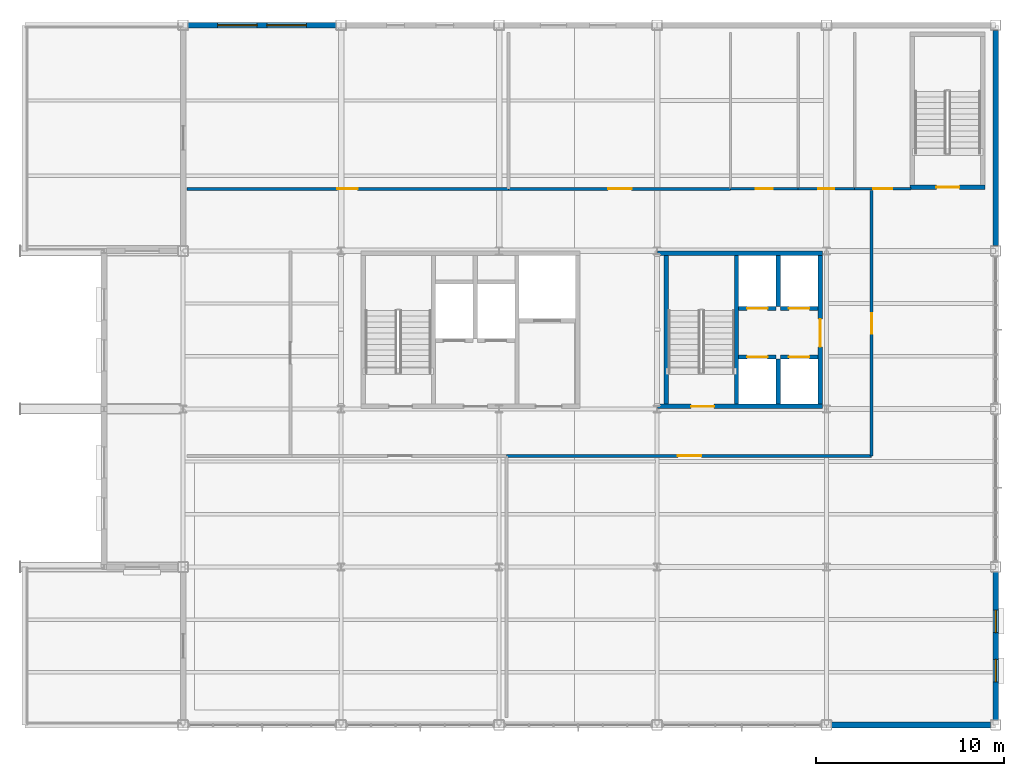
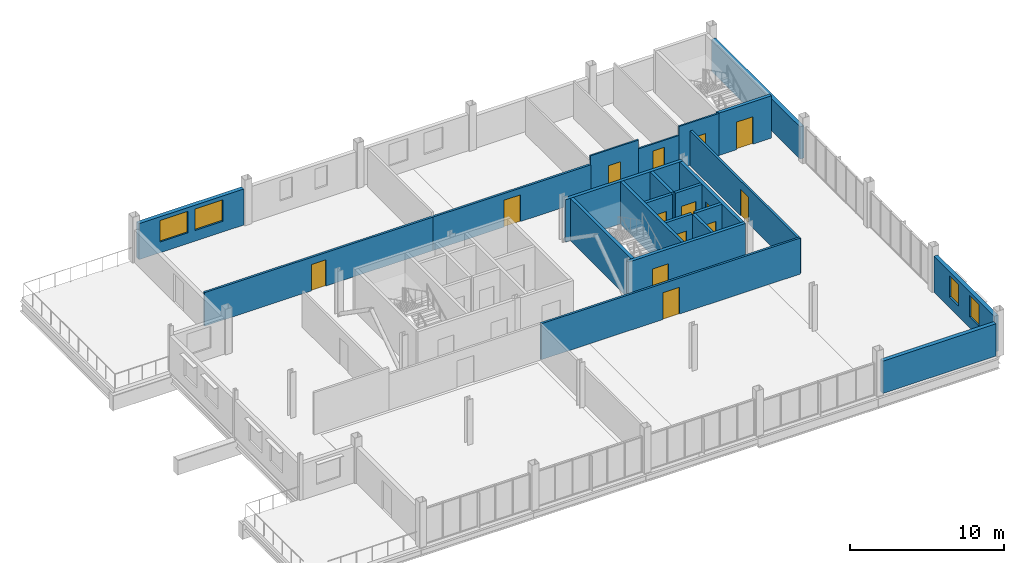
# One storey, part 14 of 18: 23 walls, 14 doors, 4 windows, 18 openings.
"""IFC4 building model written with IfcOpenShell, lengths in metres."""

from ifc_helpers import new_model, si_unit, direction, frame, frame_2d, origin, place, context, subcontext, project, spatial, rectangle, extrude, material, layer, layer_set, type_object, element, fill, save


model = new_model("IFC4")

# Units and contexts
model_context = context("Model", 3, precision=1e-05, world=origin(), true_north=direction((0.0, 1.0)))
body_context = subcontext(model_context, "Body", "Model", "MODEL_VIEW")
ifc_project = project(units=[si_unit("LENGTHUNIT", "METRE"), si_unit("AREAUNIT", "SQUARE_METRE"), si_unit("VOLUMEUNIT", "CUBIC_METRE"), si_unit("PLANEANGLEUNIT", "RADIAN"), si_unit("MASSUNIT", "GRAM", prefix="KILO")], contexts=[model_context])

# Site, building, storey
site_placement = place(None, origin())
site = spatial("IfcSite", under=ifc_project, at=site_placement, CompositionType="ELEMENT")
building_placement = place(site_placement, origin())
building = spatial("IfcBuilding", under=site, at=building_placement, Name="Yukiwa Park Conservatory and Herbarium", CompositionType="ELEMENT")
storey_placement = place(building_placement, frame((0.0, 0.0, 21.0)))
storey = spatial("IfcBuildingStorey", under=building, at=storey_placement, Name="L05", CompositionType="ELEMENT", Elevation=21.0)

# Walls
ifc_material_1 = material(Name="Concrete C40", Category="concrete")
ifc_layer_1 = layer(ifc_material_1, 0.219970703125)
ifc_layer_set_1 = layer_set([ifc_layer_1], Name="Concrete C40")
wall_type_1 = type_object("IfcWallType", Name="WL-CORE-RC220", PredefinedType="SHEAR", material=ifc_layer_set_1)
wall_1_placement = place(storey_placement, frame((154.219970703125, 95.050048828125, 0.0), z_axis=(0.0, 0.0, 1.0), x_axis=(0.0, 1.0, 0.0)))
element("IfcWall", 1, at=wall_1_placement, inside=storey, type_object=wall_type_1, Name="L05 core shear wall 401", PredefinedType="SHEAR", context=body_context, shape_type="SweptSolid", body=[
    extrude(rectangle(XDim=7.89990234375, YDim=0.219970703125, at=frame_2d((3.949951171875, 0.0))), origin(), (0.0, 0.0, 1.0), 3.35009765625),
])
wall_2_placement = place(storey_placement, frame((156.43994140625, 100.25, 0.0), z_axis=(0.0, 0.0, 1.0), x_axis=(0.0, 1.0, 0.0)))
element("IfcWall", 2, at=wall_2_placement, inside=storey, type_object=wall_type_1, Name="L05 core shear wall 403", PredefinedType="SHEAR", context=body_context, shape_type="SweptSolid", body=[
    extrude(rectangle(XDim=2.699951171875, YDim=0.219970703125, at=frame_2d((1.35009765625, 0.0))), origin(), (0.0, 0.0, 1.0), 3.35009765625),
])

# Wall, opening, door
wall_3_placement = place(storey_placement, frame((154.330078125, 100.139892578125, 0.0), z_axis=(0.0, 0.0, 1.0), x_axis=(1.0, 0.0, 0.0)))
wall_3 = element("IfcWall", 3, at=wall_3_placement, inside=storey, type_object=wall_type_1, Name="L05 core shear wall 404", PredefinedType="SHEAR", context=body_context, shape_type="SweptSolid", body=[
    extrude(rectangle(XDim=2.0, YDim=0.219970703125, at=frame_2d((1.0, 0.0))), origin(), (0.0, 0.0, 1.0), 3.35009765625),
])
opening_1_placement = place(wall_3_placement, frame((0.449951171875, 0.0, 0.0)))
opening_1 = element("IfcOpeningElement", 4, at=opening_1_placement, cuts=wall_3, Name="Opening LD-01", PredefinedType="OPENING", context=body_context, shape_type="SweptSolid", body=[
    extrude(rectangle(XDim=1.10009765625, YDim=2.14990234375, at=frame_2d((0.550048828125, 1.074951171875))), frame((0.0, 0.1201171875, 0.0), z_axis=(0.0, -1.0, 0.0), x_axis=(1.0, 0.0, 0.0)), (0.0, 0.0, 1.0), 0.239990234375),
])
ifc_material_2 = material(Name="Steel Q235B", Category="steel")
door_type_1 = type_object("IfcDoorType", Name="DR-LIFT-LD1100", OperationType="SLIDING_TO_LEFT", PredefinedType="DOOR", material=ifc_material_2)
door_1_placement = place(opening_1_placement, origin())
door_1 = element("IfcDoor", 5, at=door_1_placement, inside=storey, type_object=door_type_1, Name="L05 Passenger Lift LP1 sliding landing door", OperationType="SLIDING_TO_LEFT", OverallHeight=2.14990234375, OverallWidth=1.10009765625, PredefinedType="DOOR", context=body_context, shape_type="SweptSolid", body=[
    extrude(rectangle(XDim=1.10009765625, YDim=2.14990234375, at=frame_2d((0.550048828125, 1.074951171875))), frame((0.0, 0.02490234375, 0.0), z_axis=(0.0, -1.0, 0.0), x_axis=(1.0, 0.0, 0.0)), (0.0, 0.0, 1.0), 0.050048828125),
])
fill(opening_1, door_1)

wall_4_placement = place(storey_placement, frame((156.550048828125, 100.139892578125, 0.0), z_axis=(0.0, 0.0, 1.0), x_axis=(1.0, 0.0, 0.0)))
wall_4 = element("IfcWall", 6, at=wall_4_placement, inside=storey, type_object=wall_type_1, Name="L05 core shear wall 405", PredefinedType="SHEAR", context=body_context, shape_type="SweptSolid", body=[
    extrude(rectangle(XDim=2.0, YDim=0.219970703125, at=frame_2d((1.0, 0.0))), origin(), (0.0, 0.0, 1.0), 3.35009765625),
])
opening_2_placement = place(wall_4_placement, frame((0.449951171875, 0.0, 0.0)))
opening_2 = element("IfcOpeningElement", 7, at=opening_2_placement, cuts=wall_4, Name="Opening LD-01", PredefinedType="OPENING", context=body_context, shape_type="SweptSolid", body=[
    extrude(rectangle(XDim=1.10009765625, YDim=2.14990234375, at=frame_2d((0.550048828125, 1.074951171875))), frame((0.0, 0.1201171875, 0.0), z_axis=(0.0, -1.0, 0.0), x_axis=(1.0, 0.0, 0.0)), (0.0, 0.0, 1.0), 0.239990234375),
])
door_2_placement = place(opening_2_placement, origin())
door_2 = element("IfcDoor", 8, at=door_2_placement, inside=storey, type_object=door_type_1, Name="L05 Passenger Lift LP2 sliding landing door", OperationType="SLIDING_TO_LEFT", OverallHeight=2.14990234375, OverallWidth=1.10009765625, PredefinedType="DOOR", context=body_context, shape_type="SweptSolid", body=[
    extrude(rectangle(XDim=1.10009765625, YDim=2.14990234375, at=frame_2d((0.550048828125, 1.074951171875))), frame((0.0, 0.02490234375, 0.0), z_axis=(0.0, -1.0, 0.0), x_axis=(1.0, 0.0, 0.0)), (0.0, 0.0, 1.0), 0.050048828125),
])
fill(opening_2, door_2)

# Wall
wall_5_placement = place(storey_placement, frame((156.43994140625, 95.050048828125, 0.0), z_axis=(0.0, 0.0, 1.0), x_axis=(0.0, 1.0, 0.0)))
element("IfcWall", 9, at=wall_5_placement, inside=storey, type_object=wall_type_1, Name="L05 core shear wall 406", PredefinedType="SHEAR", context=body_context, shape_type="SweptSolid", body=[
    extrude(rectangle(XDim=2.39990234375, YDim=0.219970703125, at=frame_2d((1.199951171875, 0.0))), origin(), (0.0, 0.0, 1.0), 3.35009765625),
])

# Wall, opening, door
wall_6_placement = place(storey_placement, frame((154.330078125, 97.56005859375, 0.0), z_axis=(0.0, 0.0, 1.0), x_axis=(1.0, 0.0, 0.0)))
wall_6 = element("IfcWall", 10, at=wall_6_placement, inside=storey, type_object=wall_type_1, Name="L05 core shear wall 407", PredefinedType="SHEAR", context=body_context, shape_type="SweptSolid", body=[
    extrude(rectangle(XDim=2.0, YDim=0.219970703125, at=frame_2d((1.0, 0.0))), origin(), (0.0, 0.0, 1.0), 3.35009765625),
])
opening_3_placement = place(wall_6_placement, frame((0.449951171875, 0.0, 0.0)))
opening_3 = element("IfcOpeningElement", 11, at=opening_3_placement, cuts=wall_6, Name="Opening LD-01", PredefinedType="OPENING", context=body_context, shape_type="SweptSolid", body=[
    extrude(rectangle(XDim=1.10009765625, YDim=2.14990234375, at=frame_2d((0.550048828125, 1.074951171875))), frame((0.0, 0.1201171875, 0.0), z_axis=(0.0, -1.0, 0.0), x_axis=(1.0, 0.0, 0.0)), (0.0, 0.0, 1.0), 0.239990234375),
])
door_3_placement = place(opening_3_placement, origin())
door_3 = element("IfcDoor", 12, at=door_3_placement, inside=storey, type_object=door_type_1, Name="L05 Passenger Lift LP3 sliding landing door", OperationType="SLIDING_TO_LEFT", OverallHeight=2.14990234375, OverallWidth=1.10009765625, PredefinedType="DOOR", context=body_context, shape_type="SweptSolid", body=[
    extrude(rectangle(XDim=1.10009765625, YDim=2.14990234375, at=frame_2d((0.550048828125, 1.074951171875))), frame((0.0, 0.02490234375, 0.0), z_axis=(0.0, -1.0, 0.0), x_axis=(1.0, 0.0, 0.0)), (0.0, 0.0, 1.0), 0.050048828125),
])
fill(opening_3, door_3)

wall_7_placement = place(storey_placement, frame((156.550048828125, 97.56005859375, 0.0), z_axis=(0.0, 0.0, 1.0), x_axis=(1.0, 0.0, 0.0)))
wall_7 = element("IfcWall", 13, at=wall_7_placement, inside=storey, type_object=wall_type_1, Name="L05 core shear wall 408", PredefinedType="SHEAR", context=body_context, shape_type="SweptSolid", body=[
    extrude(rectangle(XDim=2.0, YDim=0.219970703125, at=frame_2d((1.0, 0.0))), origin(), (0.0, 0.0, 1.0), 3.35009765625),
])
opening_4_placement = place(wall_7_placement, frame((0.449951171875, 0.0, 0.0)))
opening_4 = element("IfcOpeningElement", 14, at=opening_4_placement, cuts=wall_7, Name="Opening LD-01", PredefinedType="OPENING", context=body_context, shape_type="SweptSolid", body=[
    extrude(rectangle(XDim=1.10009765625, YDim=2.14990234375, at=frame_2d((0.550048828125, 1.074951171875))), frame((0.0, 0.1201171875, 0.0), z_axis=(0.0, -1.0, 0.0), x_axis=(1.0, 0.0, 0.0)), (0.0, 0.0, 1.0), 0.239990234375),
])
door_4_placement = place(opening_4_placement, origin())
door_4 = element("IfcDoor", 15, at=door_4_placement, inside=storey, type_object=door_type_1, Name="L05 Passenger Lift LP4 sliding landing door", OperationType="SLIDING_TO_LEFT", OverallHeight=2.14990234375, OverallWidth=1.10009765625, PredefinedType="DOOR", context=body_context, shape_type="SweptSolid", body=[
    extrude(rectangle(XDim=1.10009765625, YDim=2.14990234375, at=frame_2d((0.550048828125, 1.074951171875))), frame((0.0, 0.02490234375, 0.0), z_axis=(0.0, -1.0, 0.0), x_axis=(1.0, 0.0, 0.0)), (0.0, 0.0, 1.0), 0.050048828125),
])
fill(opening_4, door_4)

ifc_material_3 = material(Name="Concrete C50", Category="concrete")
ifc_layer_2 = layer(ifc_material_3, 0.239990234375)
ifc_layer_set_2 = layer_set([ifc_layer_2], Name="Concrete C50")
wall_type_2 = type_object("IfcWallType", Name="WL-CORE-RC240", PredefinedType="SHEAR", material=ifc_layer_set_2)
wall_8_placement = place(storey_placement, frame((150.02001953125, 94.929931640625, 0.0), z_axis=(0.0, 0.0, 1.0), x_axis=(1.0, 0.0, 0.0)))
wall_8 = element("IfcWall", 16, at=wall_8_placement, inside=storey, type_object=wall_type_2, Name="L05 core shear wall 398", PredefinedType="SHEAR", context=body_context, shape_type="SweptSolid", body=[
    extrude(rectangle(XDim=8.77001953125, YDim=0.239990234375, at=frame_2d((4.385009765625, 0.0))), origin(), (0.0, 0.0, 1.0), 3.35009765625),
])
opening_5_placement = place(wall_8_placement, frame((1.7900390625, 0.0, 0.0)))
opening_5 = element("IfcOpeningElement", 17, at=opening_5_placement, cuts=wall_8, Name="Opening SD-01", PredefinedType="OPENING", context=body_context, shape_type="SweptSolid", body=[
    extrude(rectangle(XDim=1.219970703125, YDim=2.179931640625, at=frame_2d((0.60986328125, 1.08984375))), frame((0.0, 0.1298828125, 0.0), z_axis=(0.0, -1.0, 0.0), x_axis=(1.0, 0.0, 0.0)), (0.0, 0.0, 1.0), 0.260009765625),
])
ifc_material_4 = material(Name="Steel Q235B", Category="steel")
door_type_2 = type_object("IfcDoorType", Name="DR-STAIR-FD90-1200", OperationType="SINGLE_SWING_LEFT", PredefinedType="DOOR", material=ifc_material_4)
door_5_placement = place(opening_5_placement, origin())
door_5 = element("IfcDoor", 18, at=door_5_placement, inside=storey, type_object=door_type_2, Name="L05 Stairwell ST-T2 fire door", OperationType="SINGLE_SWING_LEFT", OverallHeight=2.179931640625, OverallWidth=1.219970703125, PredefinedType="DOOR", context=body_context, shape_type="SweptSolid", body=[
    extrude(rectangle(XDim=1.219970703125, YDim=2.179931640625, at=frame_2d((0.60986328125, 1.08984375))), frame((0.0, 0.02490234375, 0.0), z_axis=(0.0, -1.0, 0.0), x_axis=(1.0, 0.0, 0.0)), (0.0, 0.0, 1.0), 0.050048828125),
])
fill(opening_5, door_5)

# Walls
wall_9_placement = place(storey_placement, frame((150.02001953125, 103.070068359375, 0.0), z_axis=(0.0, 0.0, 1.0), x_axis=(1.0, 0.0, 0.0)))
element("IfcWall", 19, at=wall_9_placement, inside=storey, type_object=wall_type_2, Name="L05 core shear wall 399", PredefinedType="SHEAR", context=body_context, shape_type="SweptSolid", body=[
    extrude(rectangle(XDim=8.77001953125, YDim=0.239990234375, at=frame_2d((4.385009765625, 0.0))), origin(), (0.0, 0.0, 1.0), 3.35009765625),
])
wall_10_placement = place(storey_placement, frame((150.47998046875, 95.050048828125, 0.0), z_axis=(0.0, 0.0, 1.0), x_axis=(0.0, 1.0, 0.0)))
element("IfcWall", 20, at=wall_10_placement, inside=storey, type_object=wall_type_2, Name="L05 core shear wall 400", PredefinedType="SHEAR", context=body_context, shape_type="SweptSolid", body=[
    extrude(rectangle(XDim=7.89990234375, YDim=0.239990234375, at=frame_2d((3.949951171875, 0.0))), origin(), (0.0, 0.0, 1.0), 3.35009765625),
])

# Wall, opening, door
wall_11_placement = place(storey_placement, frame((158.669921875, 95.050048828125, 0.0), z_axis=(0.0, 0.0, 1.0), x_axis=(0.0, 1.0, 0.0)))
wall_11 = element("IfcWall", 21, at=wall_11_placement, inside=storey, type_object=wall_type_2, Name="L05 core shear wall 402", PredefinedType="SHEAR", context=body_context, shape_type="SweptSolid", body=[
    extrude(rectangle(XDim=7.89990234375, YDim=0.239990234375, at=frame_2d((3.949951171875, 0.0))), origin(), (0.0, 0.0, 1.0), 3.35009765625),
])
opening_6_placement = place(wall_11_placement, frame((3.050048828125, 0.0, 0.0)))
opening_6 = element("IfcOpeningElement", 22, at=opening_6_placement, cuts=wall_11, Name="Opening FD-07", PredefinedType="OPENING", context=body_context, shape_type="SweptSolid", body=[
    extrude(rectangle(XDim=1.47998046875, YDim=2.219970703125, at=frame_2d((0.739990234375, 1.10986328125))), frame((0.0, 0.1298828125, 0.0), z_axis=(0.0, -1.0, 0.0), x_axis=(1.0, 0.0, 0.0)), (0.0, 0.0, 1.0), 0.260009765625),
])
ifc_material_5 = material(Name="Steel Q235B", Category="steel")
door_type_3 = type_object("IfcDoorType", Name="DR-FIRE-FD60-1500", OperationType="DOUBLE_DOOR_SINGLE_SWING", PredefinedType="DOOR", material=ifc_material_5)
door_6_placement = place(opening_6_placement, origin())
door_6 = element("IfcDoor", 23, at=door_6_placement, inside=storey, type_object=door_type_3, Name="L05 Tower Passenger Lift Lobby double fire door", OperationType="DOUBLE_DOOR_SINGLE_SWING", OverallHeight=2.219970703125, OverallWidth=1.47998046875, PredefinedType="DOOR", context=body_context, shape_type="SweptSolid", body=[
    extrude(rectangle(XDim=1.47998046875, YDim=2.219970703125, at=frame_2d((0.739990234375, 1.10986328125))), frame((0.0, 0.02490234375, 0.0), z_axis=(0.0, -1.0, 0.0), x_axis=(1.0, 0.0, 0.0)), (0.0, 0.0, 1.0), 0.050048828125),
])
fill(opening_6, door_6)

wall_12_placement = place(storey_placement, frame((163.449951171875, 106.580078125, 0.0), z_axis=(0.0, 0.0, 1.0), x_axis=(1.0, 0.0, 0.0)))
wall_12 = element("IfcWall", 24, at=wall_12_placement, inside=storey, type_object=wall_type_2, Name="L05 core shear wall 409", PredefinedType="SHEAR", context=body_context, shape_type="SweptSolid", body=[
    extrude(rectangle(XDim=3.989990234375, YDim=0.239990234375, at=frame_2d((1.9951171875, 0.0))), origin(), (0.0, 0.0, 1.0), 3.35009765625),
])
opening_7_placement = place(wall_12_placement, frame((1.39501953125, 0.0, 0.0)))
opening_7 = element("IfcOpeningElement", 25, at=opening_7_placement, cuts=wall_12, Name="Opening SD-01", PredefinedType="OPENING", context=body_context, shape_type="SweptSolid", body=[
    extrude(rectangle(XDim=1.219970703125, YDim=2.179931640625, at=frame_2d((0.60986328125, 1.08984375))), frame((0.0, 0.1298828125, 0.0), z_axis=(0.0, -1.0, 0.0), x_axis=(1.0, 0.0, 0.0)), (0.0, 0.0, 1.0), 0.260009765625),
])
door_7_placement = place(opening_7_placement, origin())
door_7 = element("IfcDoor", 26, at=door_7_placement, inside=storey, type_object=door_type_2, Name="L05 Stairwell ST-T3 fire door", OperationType="SINGLE_SWING_LEFT", OverallHeight=2.179931640625, OverallWidth=1.219970703125, PredefinedType="DOOR", context=body_context, shape_type="SweptSolid", body=[
    extrude(rectangle(XDim=1.219970703125, YDim=2.179931640625, at=frame_2d((0.60986328125, 1.08984375))), frame((0.0, 0.02490234375, 0.0), z_axis=(0.0, -1.0, 0.0), x_axis=(1.0, 0.0, 0.0)), (0.0, 0.0, 1.0), 0.050048828125),
])
fill(opening_7, door_7)

# Wall
ifc_material_6 = material(Name="Pale Granite Cladding", Category="masonry")
ifc_layer_3 = layer(ifc_material_6, 0.300048828125)
ifc_layer_set_3 = layer_set([ifc_layer_3], Name="Pale Granite Cladding")
wall_type_3 = type_object("IfcWallType", Name="WL-EXT-GRAN-300", PredefinedType="SOLIDWALL", material=ifc_layer_set_3)
wall_13_placement = place(storey_placement, frame((159.27490234375, 78.0, 0.0), z_axis=(0.0, 0.0, 1.0), x_axis=(1.0, 0.0, 0.0)))
element("IfcWall", 27, at=wall_13_placement, inside=storey, type_object=wall_type_3, Name="L05 exterior envelope wall 277", PredefinedType="SOLIDWALL", context=body_context, shape_type="SweptSolid", body=[
    extrude(rectangle(XDim=8.4501953125, YDim=0.300048828125, at=frame_2d((4.22509765625, 0.0))), origin(), (0.0, 0.0, 1.0), 2.55810546875),
])

# Wall, openings, windows
wall_14_placement = place(storey_placement, frame((168.0, 78.27490234375, 0.0), z_axis=(0.0, 0.0, 1.0), x_axis=(0.0, 1.0, 0.0)))
wall_14 = element("IfcWall", 28, at=wall_14_placement, inside=storey, type_object=wall_type_3, Name="L05 exterior envelope wall 278", PredefinedType="SOLIDWALL", context=body_context, shape_type="SweptSolid", body=[
    extrude(rectangle(XDim=7.85009765625, YDim=0.300048828125, at=frame_2d((3.925048828125, 0.0))), origin(), (0.0, 0.0, 1.0), 2.85009765625),
])
opening_8_placement = place(wall_14_placement, frame((2.01708984375, 0.0, 0.85009765625)))
opening_8 = element("IfcOpeningElement", 29, at=opening_8_placement, cuts=wall_14, Name="Opening W-03", PredefinedType="OPENING", context=body_context, shape_type="SweptSolid", body=[
    extrude(rectangle(XDim=1.199951171875, YDim=1.699951171875, at=frame_2d((0.60009765625, 0.85009765625))), frame((0.0, 0.16015625, 0.0), z_axis=(0.0, -1.0, 0.0), x_axis=(1.0, 0.0, 0.0)), (0.0, 0.0, 1.0), 0.320068359375),
])
opening_9_placement = place(wall_14_placement, frame((4.633056640625, 0.0, 0.85009765625)))
opening_9 = element("IfcOpeningElement", 30, at=opening_9_placement, cuts=wall_14, Name="Opening W-03", PredefinedType="OPENING", context=body_context, shape_type="SweptSolid", body=[
    extrude(rectangle(XDim=1.199951171875, YDim=1.699951171875, at=frame_2d((0.60009765625, 0.85009765625))), frame((0.0, 0.16015625, 0.0), z_axis=(0.0, -1.0, 0.0), x_axis=(1.0, 0.0, 0.0)), (0.0, 0.0, 1.0), 0.320068359375),
])
ifc_material_7 = material(Name="Triple Low-E Insulated Glass", Category="glass")
window_type_1 = type_object("IfcWindowType", Name="WN-TW-1200X2100", PartitioningType="SINGLE_PANEL", PredefinedType="WINDOW", material=ifc_material_7)
window_1_placement = place(opening_8_placement, origin())
window_1 = element("IfcWindow", 31, at=window_1_placement, inside=storey, type_object=window_type_1, Name="L05 deep-reveal triple-glazed window 220", OverallHeight=1.699951171875, OverallWidth=1.199951171875, PartitioningType="SINGLE_PANEL", PredefinedType="WINDOW", context=body_context, shape_type="SweptSolid", body=[
    extrude(rectangle(XDim=1.199951171875, YDim=1.699951171875, at=frame_2d((0.60009765625, 0.85009765625))), frame((0.0, 0.030029296875, 0.0), z_axis=(0.0, -1.0, 0.0), x_axis=(1.0, 0.0, 0.0)), (0.0, 0.0, 1.0), 0.06005859375),
])
fill(opening_8, window_1)
window_2_placement = place(opening_9_placement, origin())
window_2 = element("IfcWindow", 32, at=window_2_placement, inside=storey, type_object=window_type_1, Name="L05 deep-reveal triple-glazed window 221", OverallHeight=1.699951171875, OverallWidth=1.199951171875, PartitioningType="SINGLE_PANEL", PredefinedType="WINDOW", context=body_context, shape_type="SweptSolid", body=[
    extrude(rectangle(XDim=1.199951171875, YDim=1.699951171875, at=frame_2d((0.60009765625, 0.85009765625))), frame((0.0, 0.030029296875, 0.0), z_axis=(0.0, -1.0, 0.0), x_axis=(1.0, 0.0, 0.0)), (0.0, 0.0, 1.0), 0.06005859375),
])
fill(opening_9, window_2)

# Wall
wall_15_placement = place(storey_placement, frame((168.0, 103.47509765625, 0.0), z_axis=(0.0, 0.0, 1.0), x_axis=(0.0, 1.0, 0.0)))
element("IfcWall", 33, at=wall_15_placement, inside=storey, type_object=wall_type_3, Name="L05 exterior envelope wall 279", PredefinedType="SOLIDWALL", context=body_context, shape_type="SweptSolid", body=[
    extrude(rectangle(XDim=11.449951171875, YDim=0.300048828125, at=frame_2d((5.72509765625, 0.0))), origin(), (0.0, 0.0, 1.0), 2.55810546875),
])

# Wall, openings, windows
wall_16_placement = place(storey_placement, frame((132.925048828125, 115.199951171875, 0.0), z_axis=(0.0, 0.0, 1.0), x_axis=(-1.0, 0.0, 0.0)))
wall_16 = element("IfcWall", 34, at=wall_16_placement, inside=storey, type_object=wall_type_3, Name="L05 exterior envelope wall 284", PredefinedType="SOLIDWALL", context=body_context, shape_type="SweptSolid", body=[
    extrude(rectangle(XDim=7.85009765625, YDim=0.300048828125, at=frame_2d((3.925048828125, 0.0))), origin(), (0.0, 0.0, 1.0), 2.85009765625),
])
opening_10_placement = place(wall_16_placement, frame((1.56689453125, 0.0, 0.85009765625)))
opening_10 = element("IfcOpeningElement", 35, at=opening_10_placement, cuts=wall_16, Name="Opening W-08", PredefinedType="OPENING", context=body_context, shape_type="SweptSolid", body=[
    extrude(rectangle(XDim=2.10009765625, YDim=1.699951171875, at=frame_2d((1.050048828125, 0.85009765625))), frame((0.0, 0.16015625, 0.0), z_axis=(0.0, -1.0, 0.0), x_axis=(1.0, 0.0, 0.0)), (0.0, 0.0, 1.0), 0.320068359375),
])
opening_11_placement = place(wall_16_placement, frame((4.18310546875, 0.0, 0.85009765625)))
opening_11 = element("IfcOpeningElement", 36, at=opening_11_placement, cuts=wall_16, Name="Opening W-08", PredefinedType="OPENING", context=body_context, shape_type="SweptSolid", body=[
    extrude(rectangle(XDim=2.10009765625, YDim=1.699951171875, at=frame_2d((1.050048828125, 0.85009765625))), frame((0.0, 0.16015625, 0.0), z_axis=(0.0, -1.0, 0.0), x_axis=(1.0, 0.0, 0.0)), (0.0, 0.0, 1.0), 0.320068359375),
])
ifc_material_8 = material(Name="Triple Low-E Insulated Glass", Category="glass")
window_type_2 = type_object("IfcWindowType", Name="WN-TW-2100X2100", PartitioningType="SINGLE_PANEL", PredefinedType="WINDOW", material=ifc_material_8)
window_3_placement = place(opening_10_placement, origin())
window_3 = element("IfcWindow", 37, at=window_3_placement, inside=storey, type_object=window_type_2, Name="L05 deep-reveal triple-glazed window 226", OverallHeight=1.699951171875, OverallWidth=2.10009765625, PartitioningType="SINGLE_PANEL", PredefinedType="WINDOW", context=body_context, shape_type="SweptSolid", body=[
    extrude(rectangle(XDim=2.10009765625, YDim=1.699951171875, at=frame_2d((1.050048828125, 0.85009765625))), frame((0.0, 0.030029296875, 0.0), z_axis=(0.0, -1.0, 0.0), x_axis=(1.0, 0.0, 0.0)), (0.0, 0.0, 1.0), 0.06005859375),
])
fill(opening_10, window_3)
window_4_placement = place(opening_11_placement, origin())
window_4 = element("IfcWindow", 38, at=window_4_placement, inside=storey, type_object=window_type_2, Name="L05 deep-reveal triple-glazed window 227", OverallHeight=1.699951171875, OverallWidth=2.10009765625, PartitioningType="SINGLE_PANEL", PredefinedType="WINDOW", context=body_context, shape_type="SweptSolid", body=[
    extrude(rectangle(XDim=2.10009765625, YDim=1.699951171875, at=frame_2d((1.050048828125, 0.85009765625))), frame((0.0, 0.030029296875, 0.0), z_axis=(0.0, -1.0, 0.0), x_axis=(1.0, 0.0, 0.0)), (0.0, 0.0, 1.0), 0.06005859375),
])
fill(opening_11, window_4)

# Wall, opening, door
ifc_material_9 = material(Name="Gypsum Board Partition", Category="gypsum")
ifc_layer_4 = layer(ifc_material_9, 0.159912109375)
ifc_layer_set_4 = layer_set([ifc_layer_4], Name="Gypsum Board Partition")
wall_type_4 = type_object("IfcWallType", Name="WL-PART-GYP-160", PredefinedType="PARTITIONING", material=ifc_layer_set_4)
wall_17_placement = place(storey_placement, frame((161.39990234375, 92.300048828125, 0.0), z_axis=(0.0, 0.0, 1.0), x_axis=(0.0, 1.0, 0.0)))
wall_17 = element("IfcWall", 39, at=wall_17_placement, inside=storey, type_object=wall_type_4, Name="L05 interior partition wall 419", PredefinedType="PARTITIONING", context=body_context, shape_type="SweptSolid", body=[
    extrude(rectangle(XDim=14.099853515625, YDim=0.159912109375, at=frame_2d((7.0498046875, 0.0))), origin(), (0.0, 0.0, 1.0), 2.75),
])
opening_12_placement = place(wall_17_placement, frame((6.5, 0.0, 0.0)))
opening_12 = element("IfcOpeningElement", 40, at=opening_12_placement, cuts=wall_17, Name="Opening ID-11", PredefinedType="OPENING", context=body_context, shape_type="SweptSolid", body=[
    extrude(rectangle(XDim=1.080078125, YDim=2.080078125, at=frame_2d((0.5400390625, 1.0400390625))), frame((0.0, 0.08984375, 0.0), z_axis=(0.0, -1.0, 0.0), x_axis=(1.0, 0.0, 0.0)), (0.0, 0.0, 1.0), 0.179931640625),
])
ifc_material_10 = material(Name="Charred Larch Cladding", Category="wood")
door_type_4 = type_object("IfcDoorType", Name="DR-INT-1100", OperationType="SINGLE_SWING_RIGHT", PredefinedType="DOOR", material=ifc_material_10)
door_8_placement = place(opening_12_placement, origin())
door_8 = element("IfcDoor", 41, at=door_8_placement, inside=storey, type_object=door_type_4, Name="L05 L05 east room door", OperationType="SINGLE_SWING_RIGHT", OverallHeight=2.080078125, OverallWidth=1.080078125, PredefinedType="DOOR", context=body_context, shape_type="SweptSolid", body=[
    extrude(rectangle(XDim=1.080078125, YDim=2.080078125, at=frame_2d((0.5400390625, 1.0400390625))), frame((0.0, 0.02490234375, 0.0), z_axis=(0.0, -1.0, 0.0), x_axis=(1.0, 0.0, 0.0)), (0.0, 0.0, 1.0), 0.050048828125),
])
fill(opening_12, door_8)

wall_18_placement = place(storey_placement, frame((142.0, 92.300048828125, 0.0), z_axis=(0.0, 0.0, 1.0), x_axis=(1.0, 0.0, 0.0)))
wall_18 = element("IfcWall", 42, at=wall_18_placement, inside=storey, type_object=wall_type_4, Name="L05 interior partition wall 421", PredefinedType="PARTITIONING", context=body_context, shape_type="SweptSolid", body=[
    extrude(rectangle(XDim=19.39990234375, YDim=0.159912109375, at=frame_2d((9.699951171875, 0.0))), origin(), (0.0, 0.0, 1.0), 2.85009765625),
])
opening_13_placement = place(wall_18_placement, frame((9.10009765625, 0.0, 0.0)))
opening_13 = element("IfcOpeningElement", 43, at=opening_13_placement, cuts=wall_18, Name="Opening LD-12", PredefinedType="OPENING", context=body_context, shape_type="SweptSolid", body=[
    extrude(rectangle(XDim=1.25, YDim=2.1201171875, at=frame_2d((0.625, 1.06005859375))), frame((0.0, 0.08984375, 0.0), z_axis=(0.0, -1.0, 0.0), x_axis=(1.0, 0.0, 0.0)), (0.0, 0.0, 1.0), 0.179931640625),
])
ifc_material_11 = material(Name="Steel Q235B", Category="steel")
door_type_5 = type_object("IfcDoorType", Name="DR-LAB-1200", OperationType="SINGLE_SWING_LEFT", PredefinedType="DOOR", material=ifc_material_11)
door_9_placement = place(opening_13_placement, origin())
door_9 = element("IfcDoor", 44, at=door_9_placement, inside=storey, type_object=door_type_5, Name="L05 Cryobiology Research Laboratory door", OperationType="SINGLE_SWING_LEFT", OverallHeight=2.1201171875, OverallWidth=1.25, PredefinedType="DOOR", context=body_context, shape_type="SweptSolid", body=[
    extrude(rectangle(XDim=1.25, YDim=2.1201171875, at=frame_2d((0.625, 1.06005859375))), frame((0.0, 0.02490234375, 0.0), z_axis=(0.0, -1.0, 0.0), x_axis=(1.0, 0.0, 0.0)), (0.0, 0.0, 1.0), 0.050048828125),
])
fill(opening_13, door_9)

wall_19_placement = place(storey_placement, frame((125.0, 106.5, 0.0), z_axis=(0.0, 0.0, 1.0), x_axis=(1.0, 0.0, 0.0)))
wall_19 = element("IfcWall", 45, at=wall_19_placement, inside=storey, type_object=wall_type_4, Name="L05 interior partition wall 425", PredefinedType="PARTITIONING", context=body_context, shape_type="SweptSolid", body=[
    extrude(rectangle(XDim=17.10009765625, YDim=0.159912109375, at=frame_2d((8.550048828125, 0.0))), origin(), (0.0, 0.0, 1.0), 2.64990234375),
])
opening_14_placement = place(wall_19_placement, frame((8.0, 0.0, 0.0)))
opening_14 = element("IfcOpeningElement", 46, at=opening_14_placement, cuts=wall_19, Name="Opening ID-11", PredefinedType="OPENING", context=body_context, shape_type="SweptSolid", body=[
    extrude(rectangle(XDim=1.080078125, YDim=2.080078125, at=frame_2d((0.5400390625, 1.0400390625))), frame((0.0, 0.08984375, 0.0), z_axis=(0.0, -1.0, 0.0), x_axis=(1.0, 0.0, 0.0)), (0.0, 0.0, 1.0), 0.179931640625),
])
door_10_placement = place(opening_14_placement, origin())
door_10 = element("IfcDoor", 47, at=door_10_placement, inside=storey, type_object=door_type_4, Name="L05 Bioinformatics Studio door", OperationType="SINGLE_SWING_RIGHT", OverallHeight=2.080078125, OverallWidth=1.080078125, PredefinedType="DOOR", context=body_context, shape_type="SweptSolid", body=[
    extrude(rectangle(XDim=1.080078125, YDim=2.080078125, at=frame_2d((0.5400390625, 1.0400390625))), frame((0.0, 0.02490234375, 0.0), z_axis=(0.0, -1.0, 0.0), x_axis=(1.0, 0.0, 0.0)), (0.0, 0.0, 1.0), 0.050048828125),
])
fill(opening_14, door_10)

wall_20_placement = place(storey_placement, frame((142.10009765625, 106.5, 0.0), z_axis=(0.0, 0.0, 1.0), x_axis=(1.0, 0.0, 0.0)))
wall_20 = element("IfcWall", 48, at=wall_20_placement, inside=storey, type_object=wall_type_4, Name="L05 interior partition wall 426", PredefinedType="PARTITIONING", context=body_context, shape_type="SweptSolid", body=[
    extrude(rectangle(XDim=11.7998046875, YDim=0.159912109375, at=frame_2d((5.89990234375, 0.0))), origin(), (0.0, 0.0, 1.0), 2.64990234375),
])
opening_15_placement = place(wall_20_placement, frame((5.300048828125, 0.0, 0.0)))
opening_15 = element("IfcOpeningElement", 49, at=opening_15_placement, cuts=wall_20, Name="Opening LD-12", PredefinedType="OPENING", context=body_context, shape_type="SweptSolid", body=[
    extrude(rectangle(XDim=1.25, YDim=2.1201171875, at=frame_2d((0.625, 1.06005859375))), frame((0.0, 0.08984375, 0.0), z_axis=(0.0, -1.0, 0.0), x_axis=(1.0, 0.0, 0.0)), (0.0, 0.0, 1.0), 0.179931640625),
])
door_11_placement = place(opening_15_placement, origin())
door_11 = element("IfcDoor", 50, at=door_11_placement, inside=storey, type_object=door_type_5, Name="L05 Instrument Room door", OperationType="SINGLE_SWING_LEFT", OverallHeight=2.1201171875, OverallWidth=1.25, PredefinedType="DOOR", context=body_context, shape_type="SweptSolid", body=[
    extrude(rectangle(XDim=1.25, YDim=2.1201171875, at=frame_2d((0.625, 1.06005859375))), frame((0.0, 0.02490234375, 0.0), z_axis=(0.0, -1.0, 0.0), x_axis=(1.0, 0.0, 0.0)), (0.0, 0.0, 1.0), 0.050048828125),
])
fill(opening_15, door_11)

ifc_material_12 = material(Name="Gypsum Board Partition", Category="gypsum")
ifc_layer_5 = layer(ifc_material_12, 0.1201171875)
ifc_layer_set_5 = layer_set([ifc_layer_5], Name="Gypsum Board Partition")
wall_type_5 = type_object("IfcWallType", Name="WL-PART-WET-150", PredefinedType="PARTITIONING", material=ifc_layer_set_5)
wall_21_placement = place(storey_placement, frame((153.89990234375, 106.5, 0.0), z_axis=(0.0, 0.0, 1.0), x_axis=(1.0, 0.0, 0.0)))
wall_21 = element("IfcWall", 51, at=wall_21_placement, inside=storey, type_object=wall_type_5, Name="L05 interior partition wall 413", PredefinedType="PARTITIONING", context=body_context, shape_type="SweptSolid", body=[
    extrude(rectangle(XDim=3.60009765625, YDim=0.1201171875, at=frame_2d((1.800048828125, 0.0))), origin(), (0.0, 0.0, 1.0), 3.35009765625),
])
opening_16_placement = place(wall_21_placement, frame((1.35009765625, 0.0, 0.0)))
opening_16 = element("IfcOpeningElement", 52, at=opening_16_placement, cuts=wall_21, Name="Opening ID-09", PredefinedType="OPENING", context=body_context, shape_type="SweptSolid", body=[
    extrude(rectangle(XDim=0.89990234375, YDim=2.10009765625, at=frame_2d((0.449951171875, 1.050048828125))), frame((0.0, 0.070068359375, 0.0), z_axis=(0.0, -1.0, 0.0), x_axis=(1.0, 0.0, 0.0)), (0.0, 0.0, 1.0), 0.14013671875),
])
ifc_material_13 = material(Name="Charred Larch Cladding", Category="wood")
door_type_6 = type_object("IfcDoorType", Name="DR-INT-900", OperationType="SINGLE_SWING_LEFT", PredefinedType="DOOR", material=ifc_material_13)
door_12_placement = place(opening_16_placement, origin())
door_12 = element("IfcDoor", 53, at=door_12_placement, inside=storey, type_object=door_type_6, Name="L05 Public WC door", OperationType="SINGLE_SWING_LEFT", OverallHeight=2.10009765625, OverallWidth=0.89990234375, PredefinedType="DOOR", context=body_context, shape_type="SweptSolid", body=[
    extrude(rectangle(XDim=0.89990234375, YDim=2.10009765625, at=frame_2d((0.449951171875, 1.050048828125))), frame((0.0, 0.02490234375, 0.0), z_axis=(0.0, -1.0, 0.0), x_axis=(1.0, 0.0, 0.0)), (0.0, 0.0, 1.0), 0.050048828125),
])
fill(opening_16, door_12)

wall_22_placement = place(storey_placement, frame((157.5, 106.5, 0.0), z_axis=(0.0, 0.0, 1.0), x_axis=(1.0, 0.0, 0.0)))
wall_22 = element("IfcWall", 54, at=wall_22_placement, inside=storey, type_object=wall_type_5, Name="L05 interior partition wall 414", PredefinedType="PARTITIONING", context=body_context, shape_type="SweptSolid", body=[
    extrude(rectangle(XDim=3.0, YDim=0.1201171875, at=frame_2d((1.5, 0.0))), origin(), (0.0, 0.0, 1.0), 2.64990234375),
])
opening_17_placement = place(wall_22_placement, frame((1.074951171875, 0.0, 0.0)))
opening_17 = element("IfcOpeningElement", 55, at=opening_17_placement, cuts=wall_22, Name="Opening ID-85", PredefinedType="OPENING", context=body_context, shape_type="SweptSolid", body=[
    extrude(rectangle(XDim=0.85009765625, YDim=2.10009765625, at=frame_2d((0.425048828125, 1.050048828125))), frame((0.0, 0.070068359375, 0.0), z_axis=(0.0, -1.0, 0.0), x_axis=(1.0, 0.0, 0.0)), (0.0, 0.0, 1.0), 0.14013671875),
])
ifc_material_14 = material(Name="Charred Larch Cladding", Category="wood")
door_type_7 = type_object("IfcDoorType", Name="DR-INT-850", OperationType="SINGLE_SWING_RIGHT", PredefinedType="DOOR", material=ifc_material_14)
door_13_placement = place(opening_17_placement, origin())
door_13 = element("IfcDoor", 56, at=door_13_placement, inside=storey, type_object=door_type_7, Name="L05 Staff WC door", OperationType="SINGLE_SWING_RIGHT", OverallHeight=2.10009765625, OverallWidth=0.85009765625, PredefinedType="DOOR", context=body_context, shape_type="SweptSolid", body=[
    extrude(rectangle(XDim=0.85009765625, YDim=2.10009765625, at=frame_2d((0.425048828125, 1.050048828125))), frame((0.0, 0.02490234375, 0.0), z_axis=(0.0, -1.0, 0.0), x_axis=(1.0, 0.0, 0.0)), (0.0, 0.0, 1.0), 0.050048828125),
])
fill(opening_17, door_13)

wall_23_placement = place(storey_placement, frame((160.5, 106.5, 0.0), z_axis=(0.0, 0.0, 1.0), x_axis=(1.0, 0.0, 0.0)))
wall_23 = element("IfcWall", 57, at=wall_23_placement, inside=storey, type_object=wall_type_5, Name="L05 interior partition wall 415", PredefinedType="PARTITIONING", context=body_context, shape_type="SweptSolid", body=[
    extrude(rectangle(XDim=3.0, YDim=0.1201171875, at=frame_2d((1.5, 0.0))), origin(), (0.0, 0.0, 1.0), 3.35009765625),
])
opening_18_placement = place(wall_23_placement, frame((1.0, 0.0, 0.0)))
opening_18 = element("IfcOpeningElement", 58, at=opening_18_placement, cuts=wall_23, Name="Opening ID-10", PredefinedType="OPENING", context=body_context, shape_type="SweptSolid", body=[
    extrude(rectangle(XDim=1.0, YDim=2.10009765625, at=frame_2d((0.5, 1.050048828125))), frame((0.0, 0.070068359375, 0.0), z_axis=(0.0, -1.0, 0.0), x_axis=(1.0, 0.0, 0.0)), (0.0, 0.0, 1.0), 0.14013671875),
])
ifc_material_15 = material(Name="Charred Larch Cladding", Category="wood")
door_type_8 = type_object("IfcDoorType", Name="DR-ACC-1000", OperationType="SINGLE_SWING_LEFT", PredefinedType="DOOR", material=ifc_material_15)
door_14_placement = place(opening_18_placement, origin())
door_14 = element("IfcDoor", 59, at=door_14_placement, inside=storey, type_object=door_type_8, Name="L05 Accessible WC door", OperationType="SINGLE_SWING_LEFT", OverallHeight=2.10009765625, OverallWidth=1.0, PredefinedType="DOOR", context=body_context, shape_type="SweptSolid", body=[
    extrude(rectangle(XDim=1.0, YDim=2.10009765625, at=frame_2d((0.5, 1.050048828125))), frame((0.0, 0.02490234375, 0.0), z_axis=(0.0, -1.0, 0.0), x_axis=(1.0, 0.0, 0.0)), (0.0, 0.0, 1.0), 0.050048828125),
])
fill(opening_18, door_14)

save(model, "model.ifc")
